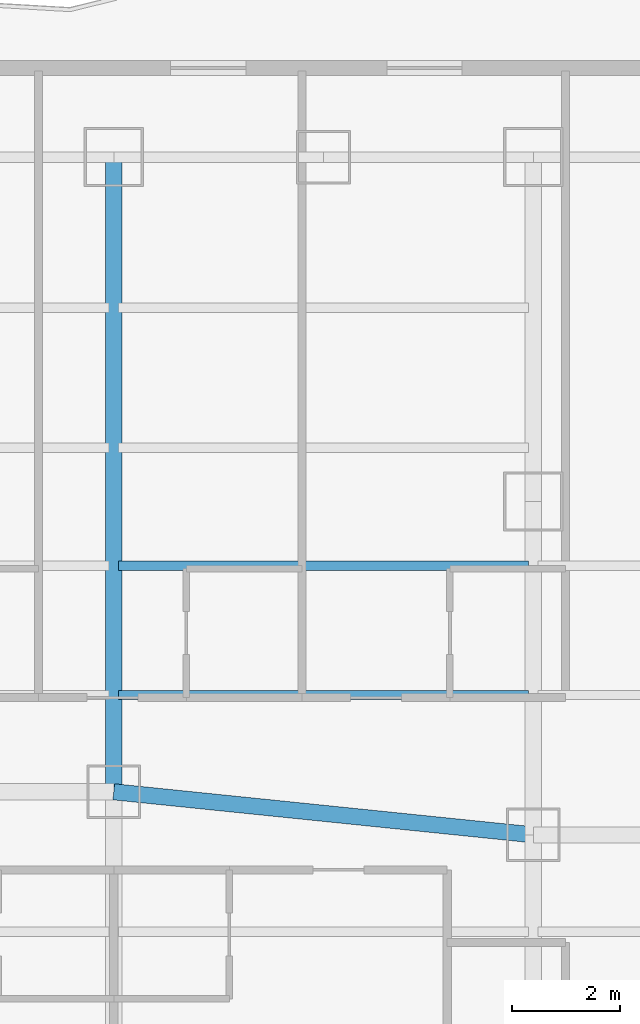
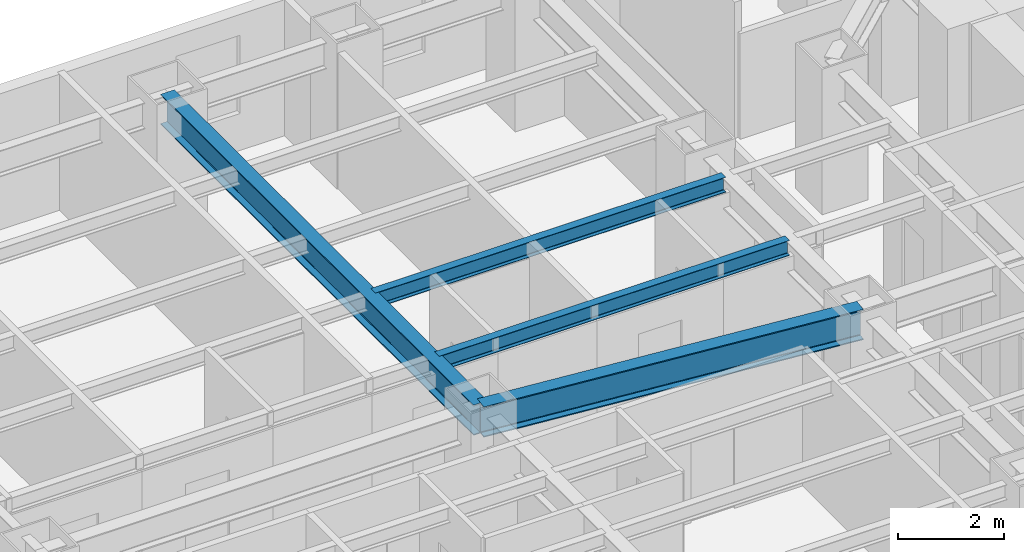
# One storey, part 15 of 32: 4 beams.
"""IFC4 building model written with IfcOpenShell, lengths in metres."""

from ifc_helpers import new_model, si_unit, direction, frame, origin, origin_2d, place, context, subcontext, project, spatial, i_section, extrude, material, material_profile, profile_set, type_object, element, save


model = new_model("IFC4")

# Units and contexts
model_context = context("Model", 3, precision=1e-05, world=origin(), true_north=direction((0.0, 1.0)))
body_context = subcontext(model_context, "Body", "Model", "MODEL_VIEW")
ifc_project = project(units=[si_unit("LENGTHUNIT", "METRE"), si_unit("AREAUNIT", "SQUARE_METRE"), si_unit("VOLUMEUNIT", "CUBIC_METRE"), si_unit("PLANEANGLEUNIT", "RADIAN"), si_unit("MASSUNIT", "GRAM", prefix="KILO")], contexts=[model_context])

# Site, building, storey
site_placement = place(None, origin())
site = spatial("IfcSite", under=ifc_project, at=site_placement, CompositionType="ELEMENT")
building_placement = place(site_placement, origin())
building = spatial("IfcBuilding", under=site, at=building_placement, Name="Hatsunagi Terrace Concourse", CompositionType="ELEMENT")
storey_placement = place(building_placement, frame((0.0, 0.0, 46.64990234375)))
storey = spatial("IfcBuildingStorey", under=building, at=storey_placement, Name="L11", CompositionType="ELEMENT", Elevation=46.64990234375)

# Beams
ifc_material_1 = material(Name="Steel SN490B", Category="steel")
ifc_material_profile_1 = material_profile(ifc_material_1, i_section(OverallWidth=0.300048828125, OverallDepth=0.699951171875, WebThickness=0.012939453125, FlangeThickness=0.02392578125, FilletRadius=0.02197265625, at=origin_2d()), Name="H-700x300x13x24")
ifc_profile_set_1 = profile_set([ifc_material_profile_1], Name="Steel SN490B")
beam_type_1 = type_object("IfcBeamType", Name="HotelFloorGirder_H_700x300", PredefinedType="BEAM", material=ifc_profile_set_1)
beam_1_placement = place(storey_placement, frame((11.39990234375, 36.800048828125, 2.780029296875), z_axis=(0.0, 1.0, 0.0), x_axis=(-1.0, 0.0, 0.0)))
element("IfcBeam", 1, at=beam_1_placement, inside=storey, type_object=beam_type_1, Name="Beam G-04 BM-L11-NS-11-36", PredefinedType="BEAM", context=body_context, shape_type="SweptSolid", body=[
    extrude(i_section(OverallWidth=0.300048828125, OverallDepth=0.699951171875, WebThickness=0.012939453125, FlangeThickness=0.02392578125, FilletRadius=0.02197265625, at=origin_2d()), origin(), (0.0, 0.0, 1.0), 11.800048828125),
])
beam_2_placement = place(storey_placement, frame((11.39990234375, 36.800048828125, 2.780029296875), z_axis=(0.994780871372, -0.102034395927, 0.0), x_axis=(0.102034395927, 0.994780871372, 0.0)))
element("IfcBeam", 2, at=beam_2_placement, inside=storey, type_object=beam_type_1, Name="Beam G-04 BM-L11-EW-2", PredefinedType="BEAM", context=body_context, shape_type="SweptSolid", body=[
    extrude(i_section(OverallWidth=0.300048828125, OverallDepth=0.699951171875, WebThickness=0.012939453125, FlangeThickness=0.02392578125, FilletRadius=0.02197265625, at=origin_2d()), origin(), (0.0, 0.0, 1.0), 7.841064453125),
])
ifc_material_2 = material(Name="Steel SN490B", Category="steel")
ifc_material_profile_2 = material_profile(ifc_material_2, i_section(OverallWidth=0.175048828125, OverallDepth=0.35009765625, WebThickness=0.007080078125, FlangeThickness=0.010986328125, FilletRadius=0.012939453125, at=origin_2d()), Name="H-350x175x7x11")
ifc_profile_set_2 = profile_set([ifc_material_profile_2], Name="Steel SN490B")
beam_type_2 = type_object("IfcBeamType", Name="HotelJoist_H_350x175", PredefinedType="JOIST", material=ifc_profile_set_2)
for number, where, z_axis, x_axis, name in (
    (3, (11.485107421875, 38.60009765625, 2.955078125), (1.0, 0.0, 0.0), (0.0, 1.0, 0.0), "Beam J-02 J-L11-W-11-386"),
    (4, (11.485107421875, 41.0, 2.955078125), (1.0, 0.0, 0.0), (0.0, 1.0, 0.0), "Beam J-02 J-L11-W-11-410"),
):
    element("IfcBeam", number, at=place(storey_placement, frame(where, z_axis=z_axis, x_axis=x_axis)), inside=storey, type_object=beam_type_2, Name=name, PredefinedType="JOIST", context=body_context, shape_type="SweptSolid", body=[
        extrude(i_section(OverallWidth=0.175048828125, OverallDepth=0.35009765625, WebThickness=0.007080078125, FlangeThickness=0.010986328125, FilletRadius=0.012939453125, at=origin_2d()), origin(), (0.0, 0.0, 1.0), 7.6298828125),
    ])

save(model, "model.ifc")
